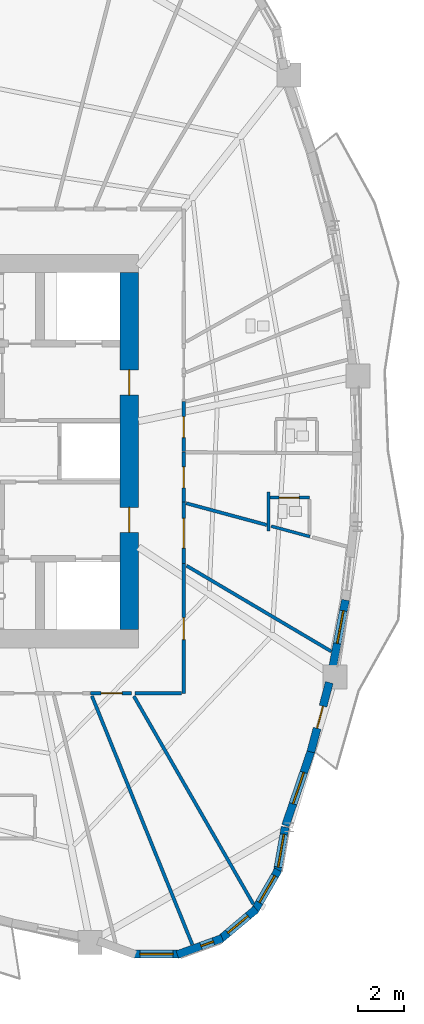
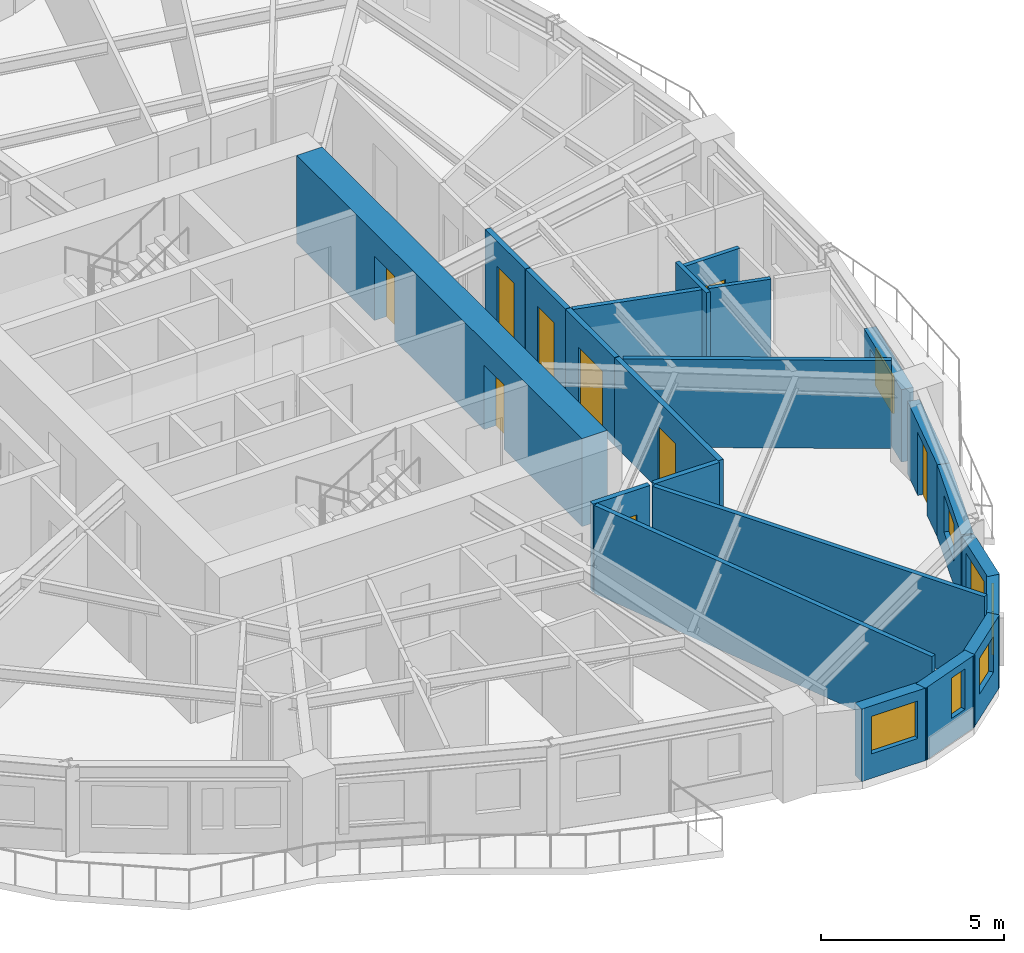
# One storey, part 6 of 13: 22 walls, 9 doors, 7 windows, 16 openings.
"""IFC4 building model written with IfcOpenShell, lengths in metres."""

from ifc_helpers import new_model, si_unit, direction, frame, frame_2d, origin, place, context, subcontext, project, spatial, rectangle, extrude, source, transform, mapped, material, layer, layer_set, type_object, element, fill, save


model = new_model("IFC4")

# Units and contexts
model_context = context("Model", 3, precision=1e-05, world=origin(), true_north=direction((0.0, 1.0)))
body_context = subcontext(model_context, "Body", "Model", "MODEL_VIEW")
ifc_project = project(units=[si_unit("LENGTHUNIT", "METRE"), si_unit("AREAUNIT", "SQUARE_METRE"), si_unit("VOLUMEUNIT", "CUBIC_METRE"), si_unit("PLANEANGLEUNIT", "RADIAN"), si_unit("MASSUNIT", "GRAM", prefix="KILO")], contexts=[model_context])

# Site, building, storey
site_placement = place(None, origin())
site = spatial("IfcSite", under=ifc_project, at=site_placement, CompositionType="ELEMENT")
building_placement = place(site_placement, origin())
building = spatial("IfcBuilding", under=site, at=building_placement, Name="Qafzar Sky-Pleat Residences", CompositionType="ELEMENT")
storey_placement = place(building_placement, frame((0.0, 0.0, 46.199951171875)))
storey = spatial("IfcBuildingStorey", under=building, at=storey_placement, Name="L13", CompositionType="ELEMENT", Elevation=46.199951171875)

# Wall, opening, door
ifc_material_1 = material(Name="Acoustic gypsum plasterboard partition", Category="gypsum")
ifc_layer_1 = layer(ifc_material_1, 0.159912109375)
ifc_layer_set_1 = layer_set([ifc_layer_1], Name="Acoustic gypsum plasterboard partition")
wall_type_1 = type_object("IfcWallType", Name="PART-COR-160", PredefinedType="PARTITIONING", material=ifc_layer_set_1)
wall_1_placement = place(storey_placement, frame((38.679931640625, 21.0859375, 0.0), z_axis=(0.0, 0.0, 1.0), x_axis=(0.0, -1.0, 0.0)))
wall_1 = element("IfcWall", 1, at=wall_1_placement, inside=storey, type_object=wall_type_1, Name="L13 Partition Wall PART-L13-PW-003", PredefinedType="PARTITIONING", context=body_context, shape_type="SweptSolid", body=[
    extrude(rectangle(XDim=5.666015625, YDim=0.159912109375, at=frame_2d((2.8330078125, 0.0))), origin(), (0.0, 0.0, 1.0), 2.93994140625),
])
opening_1_placement = place(wall_1_placement, frame((2.361572265625, 0.0, 0.0)))
opening_1 = element("IfcOpeningElement", 2, at=opening_1_placement, cuts=wall_1, Name="Opening ID-06", PredefinedType="OPENING", context=body_context, shape_type="SweptSolid", body=[
    extrude(rectangle(XDim=0.9599609375, YDim=2.10009765625, at=frame_2d((0.47998046875, 1.050048828125))), frame((0.0, 0.08984375, 0.0), z_axis=(0.0, -1.0, 0.0), x_axis=(1.0, 0.0, 0.0)), (0.0, 0.0, 1.0), 0.179931640625),
])
ifc_material_2 = material(Name="Timber-faced fire door", Category="wood")
door_type_1 = type_object("IfcDoorType", Name="DR-STD-960", OperationType="NOTDEFINED", PredefinedType="DOOR", material=ifc_material_2)
shared_shape_1 = source(origin(), body_context, "Body", "SweptSolid", [
    extrude(rectangle(XDim=0.9599609375, YDim=2.10009765625, at=frame_2d((0.47998046875, 1.050048828125))), frame((0.0, 0.02490234375, 0.0), z_axis=(0.0, -1.0, 0.0), x_axis=(1.0, 0.0, 0.0)), (0.0, 0.0, 1.0), 0.050048828125),
])
door_1_placement = place(opening_1_placement, origin())
door_1 = element("IfcDoor", 3, at=door_1_placement, inside=storey, type_object=door_type_1, Name="L13 Faculty Research Office Door", OperationType="SINGLE_SWING_RIGHT", OverallHeight=2.10009765625, OverallWidth=0.9599609375, PredefinedType="DOOR", context=body_context, shape_type="MappedRepresentation", body=[
    mapped(shared_shape_1, transform((0.0, 0.0, 0.0), x_axis=(1.0, 0.0, 0.0), y_axis=(0.0, 1.0, 0.0), z_axis=(0.0, 0.0, 1.0), scale=1.0)),
])
fill(opening_1, door_1)

wall_2_placement = place(storey_placement, frame((38.679931640625, 23.77001953125, 0.0), z_axis=(0.0, 0.0, 1.0), x_axis=(0.0, -1.0, 0.0)))
wall_2 = element("IfcWall", 4, at=wall_2_placement, inside=storey, type_object=wall_type_1, Name="L13 Partition Wall PART-L13-PW-011", PredefinedType="PARTITIONING", context=body_context, shape_type="SweptSolid", body=[
    extrude(rectangle(XDim=2.6689453125, YDim=0.159912109375, at=frame_2d((1.33447265625, 0.0))), origin(), (0.0, 0.0, 1.0), 2.93994140625),
])
opening_2_placement = place(wall_2_placement, frame((0.7080078125, 0.0, 0.0)))
opening_2 = element("IfcOpeningElement", 5, at=opening_2_placement, cuts=wall_2, Name="Opening ID-05", PredefinedType="OPENING", context=body_context, shape_type="SweptSolid", body=[
    extrude(rectangle(XDim=1.300048828125, YDim=2.10009765625, at=frame_2d((0.64990234375, 1.050048828125))), frame((0.0, 0.08984375, 0.0), z_axis=(0.0, -1.0, 0.0), x_axis=(1.0, 0.0, 0.0)), (0.0, 0.0, 1.0), 0.179931640625),
])
door_type_2 = type_object("IfcDoorType", Name="DR-LNG-1300", OperationType="DOUBLE_DOOR_SINGLE_SWING", PredefinedType="DOOR", material=ifc_material_2)
shared_shape_2 = source(origin(), body_context, "Body", "SweptSolid", [
    extrude(rectangle(XDim=1.300048828125, YDim=2.10009765625, at=frame_2d((0.64990234375, 1.050048828125))), frame((0.0, 0.02490234375, 0.0), z_axis=(0.0, -1.0, 0.0), x_axis=(1.0, 0.0, 0.0)), (0.0, 0.0, 1.0), 0.050048828125),
])
door_2_placement = place(opening_2_placement, origin())
door_2 = element("IfcDoor", 6, at=door_2_placement, inside=storey, type_object=door_type_2, Name="L13 Communal Kitchen Door", OperationType="DOUBLE_DOOR_SINGLE_SWING", OverallHeight=2.10009765625, OverallWidth=1.300048828125, PredefinedType="DOOR", context=body_context, shape_type="MappedRepresentation", body=[
    mapped(shared_shape_2, transform((0.0, 0.0, 0.0), x_axis=(1.0, 0.0, 0.0), y_axis=(0.0, 1.0, 0.0), z_axis=(0.0, 0.0, 1.0), scale=1.0)),
])
fill(opening_2, door_2)

wall_3_placement = place(storey_placement, frame((38.679931640625, 25.968017578125, 0.0), z_axis=(0.0, 0.0, 1.0), x_axis=(0.0, -1.0, 0.0)))
wall_3 = element("IfcWall", 7, at=wall_3_placement, inside=storey, type_object=wall_type_1, Name="L13 Partition Wall PART-L13-PW-014", PredefinedType="PARTITIONING", context=body_context, shape_type="SweptSolid", body=[
    extrude(rectangle(XDim=2.18310546875, YDim=0.159912109375, at=frame_2d((1.091552734375, 0.0))), origin(), (0.0, 0.0, 1.0), 2.93994140625),
])
opening_3_placement = place(wall_3_placement, frame((0.654052734375, 0.0, 0.0)))
opening_3 = element("IfcOpeningElement", 8, at=opening_3_placement, cuts=wall_3, Name="Opening ID-04", PredefinedType="OPENING", context=body_context, shape_type="SweptSolid", body=[
    extrude(rectangle(XDim=0.919921875, YDim=2.10009765625, at=frame_2d((0.4599609375, 1.050048828125))), frame((0.0, 0.08984375, 0.0), z_axis=(0.0, -1.0, 0.0), x_axis=(1.0, 0.0, 0.0)), (0.0, 0.0, 1.0), 0.179931640625),
])
door_type_3 = type_object("IfcDoorType", Name="DR-BED-920", OperationType="NOTDEFINED", PredefinedType="DOOR", material=ifc_material_2)
shared_shape_3 = source(origin(), body_context, "Body", "SweptSolid", [
    extrude(rectangle(XDim=0.919921875, YDim=2.10009765625, at=frame_2d((0.4599609375, 1.050048828125))), frame((0.0, 0.02490234375, 0.0), z_axis=(0.0, -1.0, 0.0), x_axis=(1.0, 0.0, 0.0)), (0.0, 0.0, 1.0), 0.050048828125),
])
door_3_placement = place(opening_3_placement, origin())
door_3 = element("IfcDoor", 9, at=door_3_placement, inside=storey, type_object=door_type_3, Name="L13 Co-Living Bedroom 3 Door", OperationType="SINGLE_SWING_RIGHT", OverallHeight=2.10009765625, OverallWidth=0.919921875, PredefinedType="DOOR", context=body_context, shape_type="MappedRepresentation", body=[
    mapped(shared_shape_3, transform((0.0, 0.0, 0.0), x_axis=(1.0, 0.0, 0.0), y_axis=(0.0, 1.0, 0.0), z_axis=(0.0, 0.0, 1.0), scale=1.0)),
])
fill(opening_3, door_3)

wall_4_placement = place(storey_placement, frame((38.679931640625, 28.1640625, 0.0), z_axis=(0.0, 0.0, 1.0), x_axis=(0.0, -1.0, 0.0)))
wall_4 = element("IfcWall", 10, at=wall_4_placement, inside=storey, type_object=wall_type_1, Name="L13 Partition Wall PART-L13-PW-015", PredefinedType="PARTITIONING", context=body_context, shape_type="SweptSolid", body=[
    extrude(rectangle(XDim=2.18115234375, YDim=0.159912109375, at=frame_2d((1.090576171875, 0.0))), origin(), (0.0, 0.0, 1.0), 2.93994140625),
])
opening_4_placement = place(wall_4_placement, frame((0.653564453125, 0.0, 0.0)))
opening_4 = element("IfcOpeningElement", 11, at=opening_4_placement, cuts=wall_4, Name="Opening ID-04", PredefinedType="OPENING", context=body_context, shape_type="SweptSolid", body=[
    extrude(rectangle(XDim=0.919921875, YDim=2.10009765625, at=frame_2d((0.4599609375, 1.050048828125))), frame((0.0, 0.08984375, 0.0), z_axis=(0.0, -1.0, 0.0), x_axis=(1.0, 0.0, 0.0)), (0.0, 0.0, 1.0), 0.179931640625),
])
door_4_placement = place(opening_4_placement, origin())
door_4 = element("IfcDoor", 12, at=door_4_placement, inside=storey, type_object=door_type_3, Name="L13 Co-Living Bedroom 4 Door", OperationType="SINGLE_SWING_LEFT", OverallHeight=2.10009765625, OverallWidth=0.919921875, PredefinedType="DOOR", context=body_context, shape_type="MappedRepresentation", body=[
    mapped(shared_shape_3, transform((0.0, 0.0, 0.0), x_axis=(1.0, 0.0, 0.0), y_axis=(0.0, 1.0, 0.0), z_axis=(0.0, 0.0, 1.0), scale=1.0)),
])
fill(opening_4, door_4)

wall_5_placement = place(storey_placement, frame((36.39794921875, 15.419921875, 0.0), z_axis=(0.0, 0.0, 1.0), x_axis=(-1.0, 0.0, 0.0)))
wall_5 = element("IfcWall", 13, at=wall_5_placement, inside=storey, type_object=wall_type_1, Name="L13 Partition Wall PART-L13-PW-025", PredefinedType="PARTITIONING", context=body_context, shape_type="SweptSolid", body=[
    extrude(rectangle(XDim=1.7919921875, YDim=0.159912109375, at=frame_2d((0.89599609375, 0.0))), origin(), (0.0, 0.0, 1.0), 2.93994140625),
])
opening_5_placement = place(wall_5_placement, frame((0.410888671875, 0.0, 0.0)))
opening_5 = element("IfcOpeningElement", 14, at=opening_5_placement, cuts=wall_5, Name="Opening ID-04", PredefinedType="OPENING", context=body_context, shape_type="SweptSolid", body=[
    extrude(rectangle(XDim=0.919921875, YDim=2.10009765625, at=frame_2d((0.4599609375, 1.050048828125))), frame((0.0, 0.08984375, 0.0), z_axis=(0.0, -1.0, 0.0), x_axis=(1.0, 0.0, 0.0)), (0.0, 0.0, 1.0), 0.179931640625),
])
door_5_placement = place(opening_5_placement, origin())
door_5 = element("IfcDoor", 15, at=door_5_placement, inside=storey, type_object=door_type_3, Name="L13 Co-Living Bedroom 2 Door", OperationType="SINGLE_SWING_LEFT", OverallHeight=2.10009765625, OverallWidth=0.919921875, PredefinedType="DOOR", context=body_context, shape_type="MappedRepresentation", body=[
    mapped(shared_shape_3, transform((0.0, 0.0, 0.0), x_axis=(1.0, 0.0, 0.0), y_axis=(0.0, 1.0, 0.0), z_axis=(0.0, 0.0, 1.0), scale=1.0)),
])
fill(opening_5, door_5)

# Walls
wall_6_placement = place(storey_placement, frame((36.550537109375, 15.419921875, 0.0), z_axis=(0.0, 0.0, 1.0), x_axis=(1.0, 0.0, 0.0)))
element("IfcWall", 16, at=wall_6_placement, inside=storey, type_object=wall_type_1, Name="L13 Partition Wall PART-L13-PW-056", PredefinedType="PARTITIONING", context=body_context, shape_type="SweptSolid", body=[
    extrude(rectangle(XDim=2.04150390625, YDim=0.159912109375, at=frame_2d((1.020751953125, 0.0))), origin(), (0.0, 0.0, 1.0), 2.93994140625),
])
ifc_layer_2 = layer(ifc_material_1, 0.14501953125)
ifc_layer_set_2 = layer_set([ifc_layer_2], Name="Acoustic gypsum plasterboard partition")
wall_type_2 = type_object("IfcWallType", Name="PART-UNIT-145", PredefinedType="PARTITIONING", material=ifc_layer_set_2)
wall_7_placement = place(storey_placement, frame((34.669189453125, 15.305419921875, 0.0), z_axis=(0.0, 0.0, 1.0), x_axis=(0.374459605158, -0.927243228126, 0.0)))
element("IfcWall", 17, at=wall_7_placement, inside=storey, type_object=wall_type_2, Name="L13 Partition Wall PART-L13-PW-031", PredefinedType="PARTITIONING", context=body_context, shape_type="SweptSolid", body=[
    extrude(rectangle(XDim=11.719482421875, YDim=0.14501953125, at=frame_2d((5.85986328125, 0.0))), origin(), (0.0, 0.0, 1.0), 2.93994140625),
])
wall_8_placement = place(storey_placement, frame((36.501708984375, 15.296875, 0.0), z_axis=(0.0, 0.0, 1.0), x_axis=(0.498240240214, -0.867039020478, 0.0)))
element("IfcWall", 18, at=wall_8_placement, inside=storey, type_object=wall_type_2, Name="L13 Partition Wall PART-L13-PW-037", PredefinedType="PARTITIONING", context=body_context, shape_type="SweptSolid", body=[
    extrude(rectangle(XDim=10.490478515625, YDim=0.14501953125, at=frame_2d((5.2451171875, 0.0))), origin(), (0.0, 0.0, 1.0), 2.93994140625),
])
wall_9_placement = place(storey_placement, frame((38.8037109375, 20.99560546875, 0.0), z_axis=(0.0, 0.0, 1.0), x_axis=(0.860541640281, -0.509380099084, 0.0)))
element("IfcWall", 19, at=wall_9_placement, inside=storey, type_object=wall_type_2, Name="L13 Partition Wall PART-L13-PW-040", PredefinedType="PARTITIONING", context=body_context, shape_type="SweptSolid", body=[
    extrude(rectangle(XDim=7.354248046875, YDim=0.14501953125, at=frame_2d((3.67724609375, 0.0))), origin(), (0.0, 0.0, 1.0), 2.93994140625),
])
wall_10_placement = place(storey_placement, frame((38.78662109375, 23.726318359375, 0.0), z_axis=(0.0, 0.0, 1.0), x_axis=(0.965490888833, -0.260436832228, 0.0)))
element("IfcWall", 20, at=wall_10_placement, inside=storey, type_object=wall_type_2, Name="L13 Partition Wall PART-L13-PW-048", PredefinedType="PARTITIONING", context=body_context, shape_type="SweptSolid", body=[
    extrude(rectangle(XDim=3.646484375, YDim=0.14501953125, at=frame_2d((1.8232421875, 0.0))), origin(), (0.0, 0.0, 1.0), 2.93994140625),
])

# Wall, opening, door
ifc_material_3 = material(Name="Moisture-resistant gypsum partition", Category="gypsum")
ifc_layer_3 = layer(ifc_material_3, 0.1298828125)
ifc_layer_set_3 = layer_set([ifc_layer_3], Name="Moisture-resistant gypsum partition")
wall_type_3 = type_object("IfcWallType", Name="PART-WET-130", PredefinedType="PARTITIONING", material=ifc_layer_set_3)
wall_11_placement = place(storey_placement, frame((44.18408203125, 23.971923828125, 0.0), z_axis=(0.0, 0.0, 1.0), x_axis=(-1.0, 0.0, 0.0)))
wall_11 = element("IfcWall", 21, at=wall_11_placement, inside=storey, type_object=wall_type_3, Name="L13 Partition Wall PART-L13-PW-024", PredefinedType="PARTITIONING", context=body_context, shape_type="SweptSolid", body=[
    extrude(rectangle(XDim=1.72705078125, YDim=0.1298828125, at=frame_2d((0.863525390625, 0.0))), origin(), (0.0, 0.0, 1.0), 2.93994140625),
])
opening_6_placement = place(wall_11_placement, frame((0.4599609375, 0.0, 0.0)))
opening_6 = element("IfcOpeningElement", 22, at=opening_6_placement, cuts=wall_11, Name="Opening ID-07", PredefinedType="OPENING", context=body_context, shape_type="SweptSolid", body=[
    extrude(rectangle(XDim=0.8798828125, YDim=2.050048828125, at=frame_2d((0.43994140625, 1.02490234375))), frame((0.0, 0.074951171875, 0.0), z_axis=(0.0, -1.0, 0.0), x_axis=(1.0, 0.0, 0.0)), (0.0, 0.0, 1.0), 0.14990234375),
])
door_type_4 = type_object("IfcDoorType", Name="DR-WET-880", OperationType="NOTDEFINED", PredefinedType="DOOR", material=ifc_material_2)
shared_shape_4 = source(origin(), body_context, "Body", "SweptSolid", [
    extrude(rectangle(XDim=0.8798828125, YDim=2.050048828125, at=frame_2d((0.43994140625, 1.02490234375))), frame((0.0, 0.02490234375, 0.0), z_axis=(0.0, -1.0, 0.0), x_axis=(1.0, 0.0, 0.0)), (0.0, 0.0, 1.0), 0.050048828125),
])
door_6_placement = place(opening_6_placement, origin())
door_6 = element("IfcDoor", 23, at=door_6_placement, inside=storey, type_object=door_type_4, Name="L13 En-suite Bathroom 3 Door", OperationType="SINGLE_SWING_RIGHT", OverallHeight=2.050048828125, OverallWidth=0.8798828125, PredefinedType="DOOR", context=body_context, shape_type="MappedRepresentation", body=[
    mapped(shared_shape_4, transform((0.0, 0.0, 0.0), x_axis=(1.0, 0.0, 0.0), y_axis=(0.0, 1.0, 0.0), z_axis=(0.0, 0.0, 1.0), scale=1.0)),
])
fill(opening_6, door_6)

# Walls
wall_12_placement = place(storey_placement, frame((42.503173828125, 22.723876953125, 0.0), z_axis=(0.0, 0.0, 1.0), x_axis=(0.965583538466, -0.260093118409, 0.0)))
element("IfcWall", 24, at=wall_12_placement, inside=storey, type_object=wall_type_3, Name="L13 Partition Wall PART-L13-PW-060", PredefinedType="PARTITIONING", context=body_context, shape_type="SweptSolid", body=[
    extrude(rectangle(XDim=1.75634765625, YDim=0.1298828125, at=frame_2d((0.878173828125, 0.0))), origin(), (0.0, 0.0, 1.0), 2.93994140625),
])
wall_13_placement = place(storey_placement, frame((42.384033203125, 22.51611328125, 0.0), z_axis=(0.0, 0.0, 1.0), x_axis=(0.0, 1.0, 0.0)))
element("IfcWall", 25, at=wall_13_placement, inside=storey, type_object=wall_type_3, Name="L13 Partition Wall PART-L13-PW-082", PredefinedType="PARTITIONING", context=body_context, shape_type="SweptSolid", body=[
    extrude(rectangle(XDim=1.69580078125, YDim=0.1298828125, at=frame_2d((0.847900390625, 0.0))), origin(), (0.0, 0.0, 1.0), 2.93994140625),
])

# Wall, opening, window
ifc_material_4 = material(Name="Precast concrete C40/50 with honed Riyadh limestone", Category="concrete")
ifc_layer_4 = layer(ifc_material_4, 0.35009765625)
ifc_layer_set_4 = layer_set([ifc_layer_4], Name="Precast concrete C40/50 with honed Riyadh limestone")
wall_type_4 = type_object("IfcWallType", Name="WALL-EXT-350", PredefinedType="SOLIDWALL", material=ifc_layer_set_4)
wall_14_placement = place(storey_placement, frame((36.44482421875, 4.02587890625, 0.0), z_axis=(0.0, 0.0, 1.0), x_axis=(1.0, 0.0, 0.0)))
wall_14 = element("IfcWall", 26, at=wall_14_placement, inside=storey, type_object=wall_type_4, Name="L13 Limestone Facade Wall 18", PredefinedType="SOLIDWALL", context=body_context, shape_type="SweptSolid", body=[
    extrude(rectangle(XDim=2.09033203125, YDim=0.35009765625, at=frame_2d((1.045166015625, 0.0))), origin(), (0.0, 0.0, 1.0), 2.420166015625),
])
opening_7_placement = place(wall_14_placement, frame((0.3203125, 0.0, 0.820068359375)))
opening_7 = element("IfcOpeningElement", 27, at=opening_7_placement, cuts=wall_14, Name="Opening WN-15", PredefinedType="OPENING", context=body_context, shape_type="SweptSolid", body=[
    extrude(rectangle(XDim=1.449951171875, YDim=1.25, at=frame_2d((0.72509765625, 0.625))), frame((0.0, 0.18505859375, 0.0), z_axis=(0.0, -1.0, 0.0), x_axis=(1.0, 0.0, 0.0)), (0.0, 0.0, 1.0), 0.3701171875),
])
ifc_material_5 = material(Name="Solar-control low-E glass in bronze aluminium frame", Category="glass")
window_type_1 = type_object("IfcWindowType", Name="WIN-15", PartitioningType="SINGLE_PANEL", PredefinedType="WINDOW", material=ifc_material_5)
shared_shape_5 = source(origin(), body_context, "Body", "SweptSolid", [
    extrude(rectangle(XDim=1.449951171875, YDim=1.25, at=frame_2d((0.72509765625, 0.625))), frame((0.0, 0.030029296875, 0.0), z_axis=(0.0, -1.0, 0.0), x_axis=(1.0, 0.0, 0.0)), (0.0, 0.0, 1.0), 0.06005859375),
])
window_1_placement = place(opening_7_placement, origin())
window_1 = element("IfcWindow", 28, at=window_1_placement, inside=storey, type_object=window_type_1, Name="L13 Punched Facade Window 18", OverallHeight=1.25, OverallWidth=1.449951171875, PartitioningType="SINGLE_PANEL", PredefinedType="WINDOW", context=body_context, shape_type="MappedRepresentation", body=[
    mapped(shared_shape_5, transform((0.0, 0.0, 0.0), x_axis=(1.0, 0.0, 0.0), y_axis=(0.0, 1.0, 0.0), z_axis=(0.0, 0.0, 1.0), scale=1.0)),
])
fill(opening_7, window_1)

wall_15_placement = place(storey_placement, frame((38.401611328125, 4.00244140625, 0.0), z_axis=(0.0, 0.0, 1.0), x_axis=(0.939711556618, 0.341968113072, 0.0)))
wall_15 = element("IfcWall", 29, at=wall_15_placement, inside=storey, type_object=wall_type_4, Name="L13 Limestone Facade Wall 19", PredefinedType="SOLIDWALL", context=body_context, shape_type="SweptSolid", body=[
    extrude(rectangle(XDim=2.09033203125, YDim=0.35009765625, at=frame_2d((1.045166015625, 0.0))), origin(), (0.0, 0.0, 1.0), 2.420166015625),
])
opening_8_placement = place(wall_15_placement, frame((1.09814453125, 0.0, 0.820068359375)))
opening_8 = element("IfcOpeningElement", 30, at=opening_8_placement, cuts=wall_15, Name="Opening WN-17", PredefinedType="OPENING", context=body_context, shape_type="SweptSolid", body=[
    extrude(rectangle(XDim=0.580078125, YDim=1.35009765625, at=frame_2d((0.2900390625, 0.675048828125))), frame((0.0, 0.18505859375, 0.0), z_axis=(0.0, -1.0, 0.0), x_axis=(1.0, 0.0, 0.0)), (0.0, 0.0, 1.0), 0.3701171875),
])
window_type_2 = type_object("IfcWindowType", Name="WIN-17", PartitioningType="SINGLE_PANEL", PredefinedType="WINDOW", material=ifc_material_5)
shared_shape_6 = source(origin(), body_context, "Body", "SweptSolid", [
    extrude(rectangle(XDim=0.580078125, YDim=1.35009765625, at=frame_2d((0.2900390625, 0.675048828125))), frame((0.0, 0.030029296875, 0.0), z_axis=(0.0, -1.0, 0.0), x_axis=(1.0, 0.0, 0.0)), (0.0, 0.0, 1.0), 0.06005859375),
])
window_2_placement = place(opening_8_placement, origin())
window_2 = element("IfcWindow", 31, at=window_2_placement, inside=storey, type_object=window_type_2, Name="L13 Punched Facade Window 19-2", OverallHeight=1.35009765625, OverallWidth=0.580078125, PartitioningType="SINGLE_PANEL", PredefinedType="WINDOW", context=body_context, shape_type="MappedRepresentation", body=[
    mapped(shared_shape_6, transform((0.0, 0.0, 0.0), x_axis=(1.0, 0.0, 0.0), y_axis=(0.0, 1.0, 0.0), z_axis=(0.0, 0.0, 1.0), scale=1.0)),
])
fill(opening_8, window_2)

wall_16_placement = place(storey_placement, frame((40.248291015625, 4.6494140625, 0.0), z_axis=(0.0, 0.0, 1.0), x_axis=(0.766024572719, 0.642811289563, 0.0)))
wall_16 = element("IfcWall", 32, at=wall_16_placement, inside=storey, type_object=wall_type_4, Name="L13 Limestone Facade Wall 20", PredefinedType="SOLIDWALL", context=body_context, shape_type="SweptSolid", body=[
    extrude(rectangle(XDim=2.09033203125, YDim=0.35009765625, at=frame_2d((1.045166015625, 0.0))), origin(), (0.0, 0.0, 1.0), 2.420166015625),
])
opening_9_placement = place(wall_16_placement, frame((0.47021484375, 0.0, 0.820068359375)))
opening_9 = element("IfcOpeningElement", 33, at=opening_9_placement, cuts=wall_16, Name="Opening WN-16", PredefinedType="OPENING", context=body_context, shape_type="SweptSolid", body=[
    extrude(rectangle(XDim=1.14990234375, YDim=1.199951171875, at=frame_2d((0.574951171875, 0.60009765625))), frame((0.0, 0.18505859375, 0.0), z_axis=(0.0, -1.0, 0.0), x_axis=(1.0, 0.0, 0.0)), (0.0, 0.0, 1.0), 0.3701171875),
])
window_type_3 = type_object("IfcWindowType", Name="WIN-16", PartitioningType="SINGLE_PANEL", PredefinedType="WINDOW", material=ifc_material_5)
shared_shape_7 = source(origin(), body_context, "Body", "SweptSolid", [
    extrude(rectangle(XDim=1.14990234375, YDim=1.199951171875, at=frame_2d((0.574951171875, 0.60009765625))), frame((0.0, 0.030029296875, 0.0), z_axis=(0.0, -1.0, 0.0), x_axis=(1.0, 0.0, 0.0)), (0.0, 0.0, 1.0), 0.06005859375),
])
window_3_placement = place(opening_9_placement, origin())
window_3 = element("IfcWindow", 34, at=window_3_placement, inside=storey, type_object=window_type_3, Name="L13 Punched Facade Window 20", OverallHeight=1.199951171875, OverallWidth=1.14990234375, PartitioningType="SINGLE_PANEL", PredefinedType="WINDOW", context=body_context, shape_type="MappedRepresentation", body=[
    mapped(shared_shape_7, transform((0.0, 0.0, 0.0), x_axis=(1.0, 0.0, 0.0), y_axis=(0.0, 1.0, 0.0), z_axis=(0.0, 0.0, 1.0), scale=1.0)),
])
fill(opening_9, window_3)

wall_17_placement = place(storey_placement, frame((41.762451171875, 5.889404296875, 0.0), z_axis=(0.0, 0.0, 1.0), x_axis=(0.500046000743, 0.865998843614, 0.0)))
wall_17 = element("IfcWall", 35, at=wall_17_placement, inside=storey, type_object=wall_type_4, Name="L13 Limestone Facade Wall 21", PredefinedType="SOLIDWALL", context=body_context, shape_type="SweptSolid", body=[
    extrude(rectangle(XDim=2.090087890625, YDim=0.35009765625, at=frame_2d((1.044921875, 0.0))), origin(), (0.0, 0.0, 1.0), 2.420166015625),
])
opening_10_placement = place(wall_17_placement, frame((0.450927734375, 0.0, 0.820068359375)))
opening_10 = element("IfcOpeningElement", 36, at=opening_10_placement, cuts=wall_17, Name="Opening WN-04", PredefinedType="OPENING", context=body_context, shape_type="SweptSolid", body=[
    extrude(rectangle(XDim=1.35009765625, YDim=1.449951171875, at=frame_2d((0.675048828125, 0.72509765625))), frame((0.0, 0.18505859375, 0.0), z_axis=(0.0, -1.0, 0.0), x_axis=(1.0, 0.0, 0.0)), (0.0, 0.0, 1.0), 0.3701171875),
])
window_type_4 = type_object("IfcWindowType", Name="WIN-04", PartitioningType="SINGLE_PANEL", PredefinedType="WINDOW", material=ifc_material_5)
shared_shape_8 = source(origin(), body_context, "Body", "SweptSolid", [
    extrude(rectangle(XDim=1.35009765625, YDim=1.449951171875, at=frame_2d((0.675048828125, 0.72509765625))), frame((0.0, 0.030029296875, 0.0), z_axis=(0.0, -1.0, 0.0), x_axis=(1.0, 0.0, 0.0)), (0.0, 0.0, 1.0), 0.06005859375),
])
window_4_placement = place(opening_10_placement, origin())
window_4 = element("IfcWindow", 37, at=window_4_placement, inside=storey, type_object=window_type_4, Name="L13 Punched Facade Window 21", OverallHeight=1.449951171875, OverallWidth=1.35009765625, PartitioningType="SINGLE_PANEL", PredefinedType="WINDOW", context=body_context, shape_type="MappedRepresentation", body=[
    mapped(shared_shape_8, transform((0.0, 0.0, 0.0), x_axis=(1.0, 0.0, 0.0), y_axis=(0.0, 1.0, 0.0), z_axis=(0.0, 0.0, 1.0), scale=1.0)),
])
fill(opening_10, window_4)

wall_18_placement = place(storey_placement, frame((42.76123046875, 7.572021484375, 0.0), z_axis=(0.0, 0.0, 1.0), x_axis=(0.17370309897, 0.984798067326, 0.0)))
wall_18 = element("IfcWall", 38, at=wall_18_placement, inside=storey, type_object=wall_type_4, Name="L13 Limestone Facade Wall 22", PredefinedType="SOLIDWALL", context=body_context, shape_type="SweptSolid", body=[
    extrude(rectangle(XDim=2.032470703125, YDim=0.35009765625, at=frame_2d((1.01611328125, 0.0))), origin(), (0.0, 0.0, 1.0), 2.420166015625),
])
opening_11_placement = place(wall_18_placement, frame((0.26123046875, 0.0, 0.820068359375)))
opening_11 = element("IfcOpeningElement", 39, at=opening_11_placement, cuts=wall_18, Name="Opening WN-15", PredefinedType="OPENING", context=body_context, shape_type="SweptSolid", body=[
    extrude(rectangle(XDim=1.449951171875, YDim=1.25, at=frame_2d((0.72509765625, 0.625))), frame((0.0, 0.18505859375, 0.0), z_axis=(0.0, -1.0, 0.0), x_axis=(1.0, 0.0, 0.0)), (0.0, 0.0, 1.0), 0.3701171875),
])
window_5_placement = place(opening_11_placement, origin())
window_5 = element("IfcWindow", 40, at=window_5_placement, inside=storey, type_object=window_type_1, Name="L13 Punched Facade Window 22", OverallHeight=1.25, OverallWidth=1.449951171875, PartitioningType="SINGLE_PANEL", PredefinedType="WINDOW", context=body_context, shape_type="MappedRepresentation", body=[
    mapped(shared_shape_5, transform((0.0, 0.0, 0.0), x_axis=(1.0, 0.0, 0.0), y_axis=(0.0, 1.0, 0.0), z_axis=(0.0, 0.0, 1.0), scale=1.0)),
])
fill(opening_11, window_5)

wall_19_placement = place(storey_placement, frame((43.130859375, 9.638427734375, 0.0), z_axis=(0.0, 0.0, 1.0), x_axis=(0.32360039121, 0.94619384209, 0.0)))
wall_19 = element("IfcWall", 41, at=wall_19_placement, inside=storey, type_object=wall_type_4, Name="L13 Limestone Facade Wall 23", PredefinedType="SOLIDWALL", context=body_context, shape_type="SweptSolid", body=[
    extrude(rectangle(XDim=3.492431640625, YDim=0.35009765625, at=frame_2d((1.74609375, 0.0))), origin(), (0.0, 0.0, 1.0), 2.420166015625),
])
opening_12_placement = place(wall_19_placement, frame((1.01123046875, 0.0, 0.820068359375)))
opening_12 = element("IfcOpeningElement", 42, at=opening_12_placement, cuts=wall_19, Name="Opening WN-15", PredefinedType="OPENING", context=body_context, shape_type="SweptSolid", body=[
    extrude(rectangle(XDim=1.449951171875, YDim=1.25, at=frame_2d((0.72509765625, 0.625))), frame((0.0, 0.18505859375, 0.0), z_axis=(0.0, -1.0, 0.0), x_axis=(1.0, 0.0, 0.0)), (0.0, 0.0, 1.0), 0.3701171875),
])
window_6_placement = place(opening_12_placement, origin())
window_6 = element("IfcWindow", 43, at=window_6_placement, inside=storey, type_object=window_type_1, Name="L13 Punched Facade Window 23", OverallHeight=1.25, OverallWidth=1.449951171875, PartitioningType="SINGLE_PANEL", PredefinedType="WINDOW", context=body_context, shape_type="MappedRepresentation", body=[
    mapped(shared_shape_5, transform((0.0, 0.0, 0.0), x_axis=(1.0, 0.0, 0.0), y_axis=(0.0, 1.0, 0.0), z_axis=(0.0, 0.0, 1.0), scale=1.0)),
])
fill(opening_12, window_6)

# Wall, opening, door
wall_20_placement = place(storey_placement, frame((44.2353515625, 12.858642578125, 0.0), z_axis=(0.0, 0.0, 1.0), x_axis=(0.257072148239, 0.966392213648, 0.0)))
wall_20 = element("IfcWall", 44, at=wall_20_placement, inside=storey, type_object=wall_type_4, Name="L13 Limestone Facade Wall 24", PredefinedType="SOLIDWALL", context=body_context, shape_type="SweptSolid", body=[
    extrude(rectangle(XDim=3.1396484375, YDim=0.35009765625, at=frame_2d((1.56982421875, 0.0))), origin(), (0.0, 0.0, 1.0), 2.420166015625),
])
opening_13_placement = place(wall_20_placement, frame((1.06982421875, 0.0, 0.0)))
opening_13 = element("IfcOpeningElement", 45, at=opening_13_placement, cuts=wall_20, Name="Opening ED-05", PredefinedType="OPENING", context=body_context, shape_type="SweptSolid", body=[
    extrude(rectangle(XDim=1.0, YDim=2.10009765625, at=frame_2d((0.5, 1.050048828125))), frame((0.0, 0.18505859375, 0.0), z_axis=(0.0, -1.0, 0.0), x_axis=(1.0, 0.0, 0.0)), (0.0, 0.0, 1.0), 0.3701171875),
])
ifc_material_6 = material(Name="Glazed bronze aluminium door", Category="aluminium")
door_type_5 = type_object("IfcDoorType", Name="DR-BAL-1000", OperationType="NOTDEFINED", PredefinedType="DOOR", material=ifc_material_6)
shared_shape_9 = source(origin(), body_context, "Body", "SweptSolid", [
    extrude(rectangle(XDim=1.0, YDim=2.10009765625, at=frame_2d((0.5, 1.050048828125))), frame((0.0, 0.02490234375, 0.0), z_axis=(0.0, -1.0, 0.0), x_axis=(1.0, 0.0, 0.0)), (0.0, 0.0, 1.0), 0.050048828125),
])
door_7_placement = place(opening_13_placement, origin())
door_7 = element("IfcDoor", 46, at=door_7_placement, inside=storey, type_object=door_type_5, Name="L13 Glazed Balcony Door 1", OperationType="SINGLE_SWING_LEFT", OverallHeight=2.10009765625, OverallWidth=1.0, PredefinedType="DOOR", context=body_context, shape_type="MappedRepresentation", body=[
    mapped(shared_shape_9, transform((0.0, 0.0, 0.0), x_axis=(1.0, 0.0, 0.0), y_axis=(0.0, 1.0, 0.0), z_axis=(0.0, 0.0, 1.0), scale=1.0)),
])
fill(opening_13, door_7)

# Wall, opening, window
wall_21_placement = place(storey_placement, frame((45.1728515625, 16.465087890625, 0.0), z_axis=(0.0, 0.0, 1.0), x_axis=(0.186653769851, 0.982425758111, 0.0)))
wall_21 = element("IfcWall", 47, at=wall_21_placement, inside=storey, type_object=wall_type_4, Name="L13 Limestone Facade Wall 25", PredefinedType="SOLIDWALL", context=body_context, shape_type="SweptSolid", body=[
    extrude(rectangle(XDim=3.084228515625, YDim=0.35009765625, at=frame_2d((1.5419921875, 0.0))), origin(), (0.0, 0.0, 1.0), 2.420166015625),
])
opening_14_placement = place(wall_21_placement, frame((1.15478515625, 0.0, 0.820068359375)))
opening_14 = element("IfcOpeningElement", 48, at=opening_14_placement, cuts=wall_21, Name="Opening WN-15", PredefinedType="OPENING", context=body_context, shape_type="SweptSolid", body=[
    extrude(rectangle(XDim=1.449951171875, YDim=1.25, at=frame_2d((0.72509765625, 0.625))), frame((0.0, 0.18505859375, 0.0), z_axis=(0.0, -1.0, 0.0), x_axis=(1.0, 0.0, 0.0)), (0.0, 0.0, 1.0), 0.3701171875),
])
window_7_placement = place(opening_14_placement, origin())
window_7 = element("IfcWindow", 49, at=window_7_placement, inside=storey, type_object=window_type_1, Name="L13 Punched Facade Window 25-2", OverallHeight=1.25, OverallWidth=1.449951171875, PartitioningType="SINGLE_PANEL", PredefinedType="WINDOW", context=body_context, shape_type="MappedRepresentation", body=[
    mapped(shared_shape_5, transform((0.0, 0.0, 0.0), x_axis=(1.0, 0.0, 0.0), y_axis=(0.0, 1.0, 0.0), z_axis=(0.0, 0.0, 1.0), scale=1.0)),
])
fill(opening_14, window_7)

# Wall, openings, doors
ifc_material_7 = material(Name="Concrete C60/75", Category="concrete")
ifc_layer_5 = layer(ifc_material_7, 0.800048828125)
ifc_layer_set_5 = layer_set([ifc_layer_5], Name="Concrete C60/75")
wall_type_5 = type_object("IfcWallType", Name="WALL-SHEAR-800", PredefinedType="SHEAR", material=ifc_layer_set_5)
wall_22_placement = place(storey_placement, frame((36.300048828125, 18.199951171875, 0.0), z_axis=(0.0, 0.0, 1.0), x_axis=(0.0, 1.0, 0.0)))
wall_22 = element("IfcWall", 50, at=wall_22_placement, inside=storey, type_object=wall_type_5, Name="L13 CORE wall E", PredefinedType="SHEAR", context=body_context, shape_type="SweptSolid", body=[
    extrude(rectangle(XDim=15.60009765625, YDim=0.800048828125, at=frame_2d((7.800048828125, 0.0))), origin(), (0.0, 0.0, 1.0), 2.93994140625),
])
opening_15_placement = place(wall_22_placement, frame((4.25, 0.0, 0.0)))
opening_15 = element("IfcOpeningElement", 51, at=opening_15_placement, cuts=wall_22, Name="Opening ID-02", PredefinedType="OPENING", context=body_context, shape_type="SweptSolid", body=[
    extrude(rectangle(XDim=1.10009765625, YDim=2.14990234375, at=frame_2d((0.550048828125, 1.074951171875))), frame((0.0, 0.41015625, 0.0), z_axis=(0.0, -1.0, 0.0), x_axis=(1.0, 0.0, 0.0)), (0.0, 0.0, 1.0), 0.820068359375),
])
opening_16_placement = place(wall_22_placement, frame((10.25, 0.0, 0.0)))
opening_16 = element("IfcOpeningElement", 52, at=opening_16_placement, cuts=wall_22, Name="Opening ID-02", PredefinedType="OPENING", context=body_context, shape_type="SweptSolid", body=[
    extrude(rectangle(XDim=1.10009765625, YDim=2.14990234375, at=frame_2d((0.550048828125, 1.074951171875))), frame((0.0, 0.41015625, 0.0), z_axis=(0.0, -1.0, 0.0), x_axis=(1.0, 0.0, 0.0)), (0.0, 0.0, 1.0), 0.820068359375),
])
door_type_6 = type_object("IfcDoorType", Name="DR-FFL-1100", OperationType="NOTDEFINED", PredefinedType="DOOR", material=ifc_material_2)
shared_shape_10 = source(origin(), body_context, "Body", "SweptSolid", [
    extrude(rectangle(XDim=1.10009765625, YDim=2.14990234375, at=frame_2d((0.550048828125, 1.074951171875))), frame((0.0, 0.02490234375, 0.0), z_axis=(0.0, -1.0, 0.0), x_axis=(1.0, 0.0, 0.0)), (0.0, 0.0, 1.0), 0.050048828125),
])
door_8_placement = place(opening_15_placement, origin())
door_8 = element("IfcDoor", 53, at=door_8_placement, inside=storey, type_object=door_type_6, Name="L13 Firefighting Lobby South Corridor Door", OperationType="SINGLE_SWING_LEFT", OverallHeight=2.14990234375, OverallWidth=1.10009765625, PredefinedType="DOOR", context=body_context, shape_type="MappedRepresentation", body=[
    mapped(shared_shape_10, transform((0.0, 0.0, 0.0), x_axis=(1.0, 0.0, 0.0), y_axis=(0.0, 1.0, 0.0), z_axis=(0.0, 0.0, 1.0), scale=1.0)),
])
fill(opening_15, door_8)
door_9_placement = place(opening_16_placement, origin())
door_9 = element("IfcDoor", 54, at=door_9_placement, inside=storey, type_object=door_type_6, Name="L13 Firefighting Lobby North Corridor Door", OperationType="SINGLE_SWING_RIGHT", OverallHeight=2.14990234375, OverallWidth=1.10009765625, PredefinedType="DOOR", context=body_context, shape_type="MappedRepresentation", body=[
    mapped(shared_shape_10, transform((0.0, 0.0, 0.0), x_axis=(1.0, 0.0, 0.0), y_axis=(0.0, 1.0, 0.0), z_axis=(0.0, 0.0, 1.0), scale=1.0)),
])
fill(opening_16, door_9)

save(model, "model.ifc")
